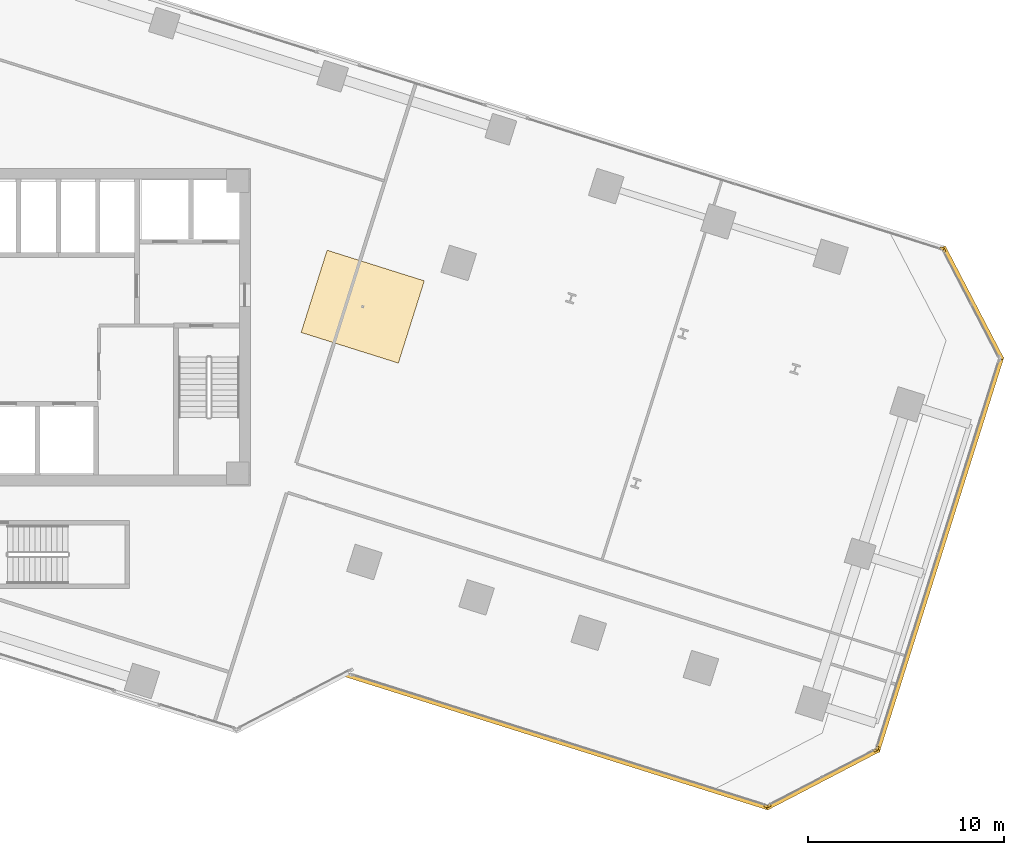
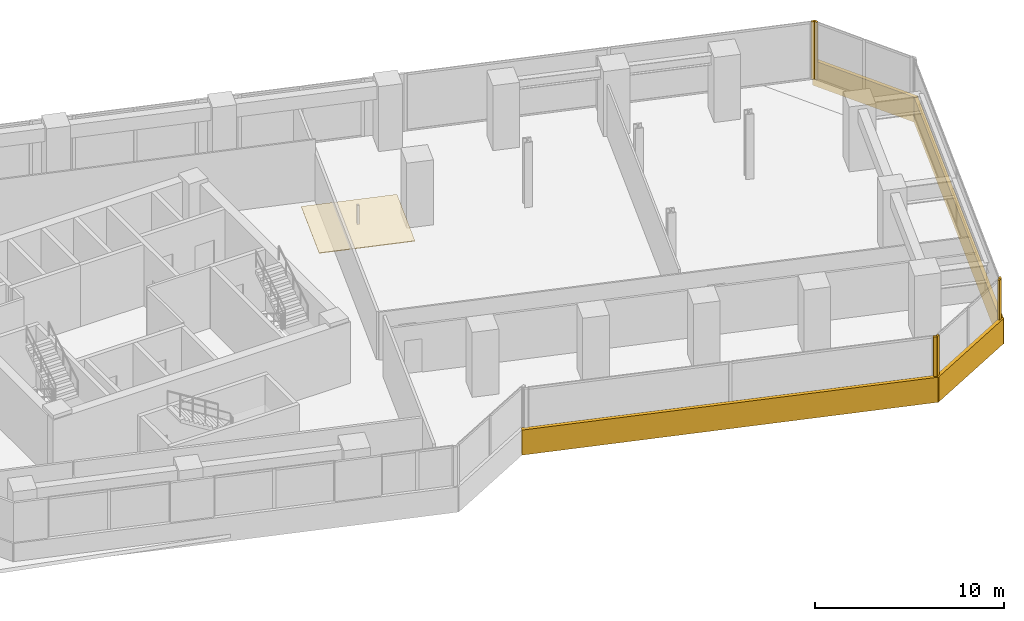
# One storey, part 26 of 28: 11 coverings.
"""IFC4 building model written with IfcOpenShell, lengths in metres."""

import ifcopenshell
import ifcopenshell.guid

model = None  # the IFC model being written
_history = None  # IfcOwnerHistory: only IFC2X3 demands one
_inside = {}  # id of a spatial element -> (the spatial element, [elements in it])
_under = {}  # id of a project, library or spatial element -> (it, [spatial elements below it])
_declared = {}  # id of a project -> (the project, [libraries it declares])
_typed = {}  # id of a type object -> (the type object, [elements of that type])
_made_of = {}  # id of a material, layer set ... -> (it, [elements and type objects made of it])


def new_model(schema):
    """Start an empty IFC model of exactly this schema.

    Asked for "IFC4X3", IfcOpenShell would pick the latest addendum, in which some entities
    have other attributes; the version numbers below select the first issue.
    IFC2X3 requires an IfcOwnerHistory on every rooted entity: one is made here for all.
    """
    global model, _history
    if schema == "IFC4X3":
        model = ifcopenshell.file(schema_version=(4, 3, 0, 0))
    else:
        model = ifcopenshell.file(schema=schema)
    _inside.clear()
    _under.clear()
    _declared.clear()
    _typed.clear()
    _made_of.clear()
    _history = None
    if model.schema == "IFC2X3":
        org = make("IfcOrganization", Name="unknown")
        user = make(
            "IfcPersonAndOrganization",
            ThePerson=make("IfcPerson", FamilyName="unknown"),
            TheOrganization=org,
        )
        app = make(
            "IfcApplication",
            ApplicationDeveloper=org,
            Version="unknown",
            ApplicationFullName="unknown",
            ApplicationIdentifier="unknown",
        )
        _history = make(
            "IfcOwnerHistory",
            OwningUser=user,
            OwningApplication=app,
            ChangeAction="ADDED",
            CreationDate=0,
        )
    return model


def make(cls, **values):
    """One entity of the class cls with the attributes given. An attribute that is None is left unset."""
    return model.create_entity(
        cls, **{name: value for name, value in values.items() if value is not None}
    )


def rooted(cls, **values):
    """An entity with a GlobalId (a new one), such as an element, a storey or a relation."""
    return make(cls, GlobalId=ifcopenshell.guid.new(), OwnerHistory=_history, **values)


def si_unit(unit_type, name, prefix=None):
    """IfcSIUnit, for example si_unit("LENGTHUNIT", "METRE", prefix="MILLI")."""
    return make("IfcSIUnit", UnitType=unit_type, Prefix=prefix, Name=name)


def assignment(units):
    """IfcUnitAssignment: the units of a project."""
    return None if units is None else make("IfcUnitAssignment", Units=units)


def point(xyz):
    """IfcCartesianPoint."""
    return None if xyz is None else make("IfcCartesianPoint", Coordinates=xyz)


def direction(xyz):
    """IfcDirection."""
    return None if xyz is None else make("IfcDirection", DirectionRatios=xyz)


def frame(location, z_axis=None, x_axis=None):
    """IfcAxis2Placement3D, a coordinate frame: its origin and axes. An axis left out is left unset."""
    return make(
        "IfcAxis2Placement3D",
        Location=point(location),
        Axis=direction(z_axis),
        RefDirection=direction(x_axis),
    )


def frame_2d(location, x_axis=None):
    """IfcAxis2Placement2D, a coordinate frame in the plane: its origin and x axis."""
    return make(
        "IfcAxis2Placement2D", Location=point(location), RefDirection=direction(x_axis)
    )


def origin():
    """The frame at (0, 0, 0) with its axes left unset."""
    return frame((0.0, 0.0, 0.0))


def origin_2d():
    """The frame at (0, 0) in the plane with its x axis left unset."""
    return frame_2d((0.0, 0.0))


def place(relative_to, where):
    """IfcLocalPlacement: puts the frame where relative to a parent placement (None: the world)."""
    return make(
        "IfcLocalPlacement", PlacementRelTo=relative_to, RelativePlacement=where
    )


def context(
    kind, dimensions, precision=None, world=None, true_north=None, identifier=None
):
    """IfcGeometricRepresentationContext, for example the 3D "Model" context."""
    return make(
        "IfcGeometricRepresentationContext",
        ContextIdentifier=identifier,
        ContextType=kind,
        CoordinateSpaceDimension=dimensions,
        Precision=precision,
        WorldCoordinateSystem=world,
        TrueNorth=true_north,
    )


def subcontext(parent, identifier, kind, view, scale=None):
    """IfcGeometricRepresentationSubContext, for example "Body" below "Model"."""
    return make(
        "IfcGeometricRepresentationSubContext",
        ContextIdentifier=identifier,
        ContextType=kind,
        ParentContext=parent,
        TargetScale=scale,
        TargetView=view,
    )


def project(units=None, contexts=None):
    """IfcProject with its units and contexts."""
    return rooted(
        "IfcProject",
        Name="project",
        RepresentationContexts=contexts,
        UnitsInContext=assignment(units),
    )


def spatial(cls, under=None, at=None, **own):
    """A site, building, storey or space (cls), placed at a placement, below another one or the project."""
    s = rooted(cls, ObjectPlacement=at, **own)
    if under is not None:
        _under.setdefault(under.id(), (under, []))[1].append(s)
    return s


def polyline(points):
    """IfcPolyline through the points."""
    return make("IfcPolyline", Points=[point(p) for p in points])


def profile(cls, at=None, kind="AREA", **sizes):
    """A parametric profile (cls). Its sizes go by their IFC names, for example OverallWidth=200.0."""
    return make(cls, ProfileType=kind, Position=at, **sizes)


def rectangle(**sizes):
    """IfcRectangleProfileDef."""
    return profile("IfcRectangleProfileDef", **sizes)


def outline(outer, holes=None, kind="AREA"):
    """IfcArbitraryClosedProfileDef: a profile drawn as a closed curve; with holes, ...WithVoids."""
    if holes is None:
        return make("IfcArbitraryClosedProfileDef", ProfileType=kind, OuterCurve=outer)
    return make(
        "IfcArbitraryProfileDefWithVoids",
        ProfileType=kind,
        OuterCurve=outer,
        InnerCurves=holes,
    )


def extrude(swept, where, along, depth):
    """IfcExtrudedAreaSolid: the profile swept, set in the frame where, extruded along a direction by depth."""
    return make(
        "IfcExtrudedAreaSolid",
        SweptArea=swept,
        Position=where,
        ExtrudedDirection=direction(along),
        Depth=depth,
    )


def shape(context_of_items, identifier, shape_type, items):
    """IfcShapeRepresentation: the items that make up one representation, for example the "Body"."""
    return make(
        "IfcShapeRepresentation",
        ContextOfItems=context_of_items,
        RepresentationIdentifier=identifier,
        RepresentationType=shape_type,
        Items=items,
    )


def source(mapping_origin, context_of_items, identifier, shape_type, items):
    """IfcRepresentationMap: a shape defined once, which mapped items show again and again."""
    return make(
        "IfcRepresentationMap",
        MappingOrigin=mapping_origin,
        MappedRepresentation=shape(context_of_items, identifier, shape_type, items),
    )


def transform(
    local_origin,
    x_axis=None,
    y_axis=None,
    z_axis=None,
    scale=None,
    scale2=None,
    scale3=None,
    uniform=True,
):
    """IfcCartesianTransformationOperator3D, or its non-uniform kind. x_axis, y_axis, z_axis: its Axis1, 2, 3."""
    if uniform:
        return make(
            "IfcCartesianTransformationOperator3D",
            Axis1=direction(x_axis),
            Axis2=direction(y_axis),
            LocalOrigin=point(local_origin),
            Scale=scale,
            Axis3=direction(z_axis),
        )
    return make(
        "IfcCartesianTransformationOperator3DnonUniform",
        Axis1=direction(x_axis),
        Axis2=direction(y_axis),
        LocalOrigin=point(local_origin),
        Scale=scale,
        Axis3=direction(z_axis),
        Scale2=scale2,
        Scale3=scale3,
    )


def mapped(mapping_source, mapping_target):
    """IfcMappedItem: shows the shape of a source again, moved by a transform."""
    return make(
        "IfcMappedItem", MappingSource=mapping_source, MappingTarget=mapping_target
    )


def material(Name=None, Category=None):
    """IfcMaterial."""
    return make("IfcMaterial", Name=Name, Category=Category)


def layer(
    of_material, thickness, ventilated=None, Name=None, Category=None, Priority=None
):
    """IfcMaterialLayer: one layer of a wall or slab, of a material (None: an air gap)."""
    return make(
        "IfcMaterialLayer",
        Material=of_material,
        LayerThickness=thickness,
        IsVentilated=ventilated,
        Name=Name,
        Category=Category,
        Priority=Priority,
    )


def layer_set(layers, Name=None):
    """IfcMaterialLayerSet."""
    return make("IfcMaterialLayerSet", MaterialLayers=layers, LayerSetName=Name)


def made_of(thing, what):
    """Note that an element or type object is made of a material, layer set ...; save() writes the relation."""
    if what is not None:
        _made_of.setdefault(what.id(), (what, []))[1].append(thing)
    return thing


def type_object(cls, material=None, **own):
    """A type object (cls), such as IfcWallType, which elements share."""
    return made_of(rooted(cls, **own), material)


def element(
    cls,
    number,
    at=None,
    inside=None,
    cuts=None,
    type_object=None,
    material=None,
    context=None,
    identifier="Body",
    shape_type=None,
    held_by="IfcProductDefinitionShape",
    body=None,
    shapes=None,
    **own,
):
    """One element of the class cls, such as IfcWall. Its Tag is "e" and its number.

    at: its placement. inside: the storey or other place that contains it. cuts: it is an
    opening in that element (IfcRelVoidsElement). A single representation is given by context,
    identifier, shape_type and body (its items); several are given by shapes. held_by: the class
    of the entity that holds the representations. save() writes the other relations.
    """
    e = rooted(cls, Tag="e%d" % number, ObjectPlacement=at, **own)
    if body is not None:
        shapes = [shape(context, identifier, shape_type, body)]
    if shapes is not None:
        e.Representation = make(held_by, Representations=shapes)
    if inside is not None:
        _inside.setdefault(inside.id(), (inside, []))[1].append(e)
    if cuts is not None:
        rooted(
            "IfcRelVoidsElement", RelatingBuildingElement=cuts, RelatedOpeningElement=e
        )
    if type_object is not None:
        _typed.setdefault(type_object.id(), (type_object, []))[1].append(e)
    return made_of(e, material)


def aggregate(whole, parts):
    """IfcRelAggregates: a whole, such as a stair, and the parts it consists of."""
    return rooted("IfcRelAggregates", RelatingObject=whole, RelatedObjects=parts)


def save(model, path):
    """Write the relations noted so far, then the file.

    IfcRelAggregates (storeys below a building ...), IfcRelContainedInSpatialStructure (elements
    in a storey), IfcRelDefinesByType, IfcRelAssociatesMaterial and IfcRelDeclares: one each for
    every whole, place, type object, material and project.
    """
    for whole, parts in _under.values():
        aggregate(whole, parts)
    for where, things in _inside.values():
        rooted(
            "IfcRelContainedInSpatialStructure",
            RelatedElements=things,
            RelatingStructure=where,
        )
    for kind, things in _typed.values():
        rooted("IfcRelDefinesByType", RelatedObjects=things, RelatingType=kind)
    for what, things in _made_of.values():
        rooted("IfcRelAssociatesMaterial", RelatedObjects=things, RelatingMaterial=what)
    for by, libraries in _declared.values():
        rooted("IfcRelDeclares", RelatingContext=by, RelatedDefinitions=libraries)
    model.write(path)


model = new_model("IFC4")

# Units and contexts
model_context = context("Model", 3, precision=1e-05, world=origin(), true_north=direction((0.0, 1.0)))
body_context = subcontext(model_context, "Body", "Model", "MODEL_VIEW")
ifc_project = project(units=[si_unit("LENGTHUNIT", "METRE"), si_unit("AREAUNIT", "SQUARE_METRE"), si_unit("VOLUMEUNIT", "CUBIC_METRE"), si_unit("PLANEANGLEUNIT", "RADIAN"), si_unit("MASSUNIT", "GRAM", prefix="KILO")], contexts=[model_context])

# Site, building, storey
site_placement = place(None, origin())
site = spatial("IfcSite", under=ifc_project, at=site_placement, CompositionType="ELEMENT")
building_placement = place(site_placement, origin())
building = spatial("IfcBuilding", under=site, at=building_placement, Name="Torre Montelarca", CompositionType="ELEMENT")
storey_placement = place(building_placement, frame((0.0, 0.0, 112.60009765625)))
storey = spatial("IfcBuildingStorey", under=building, at=storey_placement, Name="L25", CompositionType="ELEMENT", Elevation=112.60009765625)

# Coverings
ifc_material_1 = material(Name="Perforated acoustic mineral fibre board", Category="gypsum")
ifc_layer_1 = layer(ifc_material_1, 0.0400390625, Name="Perforated acoustic mineral fibre board", Category="gypsum")
ifc_layer_set_1 = layer_set([ifc_layer_1], Name="Perforated acoustic mineral fibre board")
covering_type_1 = type_object("IfcCoveringType", Name="COV-CEIL-AC1", PredefinedType="CEILING", material=ifc_layer_set_1)
covering_1_placement = place(storey_placement, frame((0.0, 0.0, 2.719970703125)))
element("IfcCovering", 1, at=covering_1_placement, inside=storey, type_object=covering_type_1, Name="L25 Acoustic Suspended Ceiling 01", PredefinedType="CEILING", context=body_context, shape_type="SweptSolid", body=[
    extrude(outline(polyline([(29.69580078125, 31.72265625), (34.6552734375, 30.158935546875), (35.978515625, 34.355224609375), (31.01904296875, 35.9189453125), (29.69580078125, 31.72265625)])), origin(), (0.0, 0.0, 1.0), 0.0400390625),
])
ifc_material_2 = material(Name="Bush-hammered warm white precast concrete C45/55", Category="concrete")
ifc_layer_2 = layer(ifc_material_2, 0.139892578125, Name="Bush-hammered warm white precast concrete C45/55", Category="concrete")
ifc_layer_set_2 = layer_set([ifc_layer_2], Name="Bush-hammered warm white precast concrete C45/55")
covering_type_2 = type_object("IfcCoveringType", Name="COV-TRAY-CLAD", PredefinedType="CLADDING", material=ifc_layer_set_2)
shared_shape_1 = source(origin(), body_context, "Body", "SweptSolid", [
    extrude(rectangle(XDim=6.48388671875, YDim=0.219970703125, at=origin_2d()), origin(), (0.0, 0.0, 1.0), 1.6201171875),
])
for number, where, z_axis, x_axis, name in (
    (2, (56.3046875, 8.93798828125, -0.4501953125), (0.0, 0.0, 1.0), (0.88701405677, 0.46174242072, 0.0), "L25 Architectural White Spandrel Tray Band TRYBOT-05"),
    (3, (63.9599609375, 33.21728515625, -0.4501953125), (0.0, 0.0, 1.0), (-0.461754805728, 0.887007609543, 0.0), "L25 Architectural White Spandrel Tray Band TRYBOT-07"),
):
    element("IfcCovering", number, at=place(storey_placement, frame(where, z_axis=z_axis, x_axis=x_axis)), inside=storey, type_object=covering_type_2, Name=name, PredefinedType="CLADDING", context=body_context, shape_type="MappedRepresentation", body=[
        mapped(shared_shape_1, transform((0.0, 0.0, 0.0), scale=1.0)),
    ])
shared_shape_2 = source(origin(), body_context, "Body", "SweptSolid", [
    extrude(rectangle(XDim=21.1201171875, YDim=0.219970703125, at=origin_2d()), origin(), (0.0, 0.0, 1.0), 1.6201171875),
])
covering_2_placement = place(storey_placement, frame((62.269775390625, 20.403564453125, -0.4501953125), z_axis=(0.0, 0.0, 1.0), x_axis=(0.300709128603, 0.953715901081, 0.0)))
element("IfcCovering", 4, at=covering_2_placement, inside=storey, type_object=covering_type_2, Name="L25 Architectural White Spandrel Tray Band TRYBOT-06", PredefinedType="CLADDING", context=body_context, shape_type="MappedRepresentation", body=[
    mapped(shared_shape_2, transform((0.0, 0.0, 0.0), scale=1.0)),
])
shared_shape_3 = source(origin(), body_context, "Body", "SweptSolid", [
    extrude(rectangle(XDim=0.199951171875, YDim=0.139892578125, at=origin_2d()), origin(), (0.0, 0.0, 1.0), 3.719970703125),
])
for number, where, z_axis, x_axis, name in (
    (5, (53.41259765625, 7.562744140625, 0.0), (0.0, 0.0, 1.0), (0.953718000404, -0.300702470402, 0.0), "L25 Architectural Column Pier Cladding E04-2"),
    (6, (53.55712890625, 7.5751953125, 0.0), (0.0, 0.0, 1.0), (0.887017280319, 0.461736228182, 0.0), "L25 Architectural Column Pier Cladding E05-1"),
    (7, (58.99658203125, 10.40673828125, 0.0), (0.0, 0.0, 1.0), (0.887017280319, 0.461736228182, 0.0), "L25 Architectural Column Pier Cladding E05-2"),
    (8, (59.090087890625, 10.51806640625, 0.0), (0.0, 0.0, 1.0), (0.300707464054, 0.953716425916, 0.0), "L25 Architectural Column Pier Cladding E06-1"),
    (9, (62.490966796875, 35.9091796875, 0.0), (0.0, 0.0, 1.0), (-0.461748613235, 0.887010833178, 0.0), "L25 Architectural Column Pier Cladding E07-2"),
    (10, (62.3798828125, 36.00244140625, 0.0), (0.0, 0.0, 1.0), (-0.953717475577, 0.300704134954, 0.0), "L25 Architectural Column Pier Cladding E08-1"),
):
    element("IfcCovering", number, at=place(storey_placement, frame(where, z_axis=z_axis, x_axis=x_axis)), inside=storey, type_object=covering_type_2, Name=name, PredefinedType="CLADDING", context=body_context, shape_type="MappedRepresentation", body=[
        mapped(shared_shape_3, transform((0.0, 0.0, 0.0), scale=1.0)),
    ])
shared_shape_4 = source(origin(), body_context, "Body", "SweptSolid", [
    extrude(rectangle(XDim=22.619873046875, YDim=0.219970703125, at=origin_2d()), origin(), (0.0, 0.0, 1.0), 1.6201171875),
])
covering_3_placement = place(storey_placement, frame((42.77587890625, 10.853515625, -0.4501953125), z_axis=(0.0, 0.0, 1.0), x_axis=(0.953718000404, -0.300702470402, 0.0)))
element("IfcCovering", 11, at=covering_3_placement, inside=storey, type_object=covering_type_2, Name="L25 Architectural White Spandrel Tray Band TRYBOT-04", PredefinedType="CLADDING", context=body_context, shape_type="MappedRepresentation", body=[
    mapped(shared_shape_4, transform((0.0, 0.0, 0.0), scale=1.0)),
])

save(model, "model.ifc")
